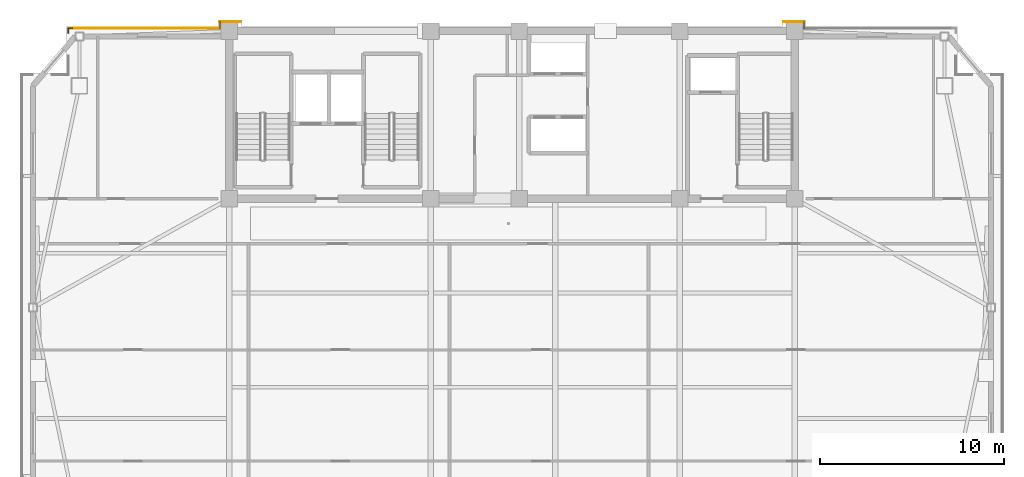
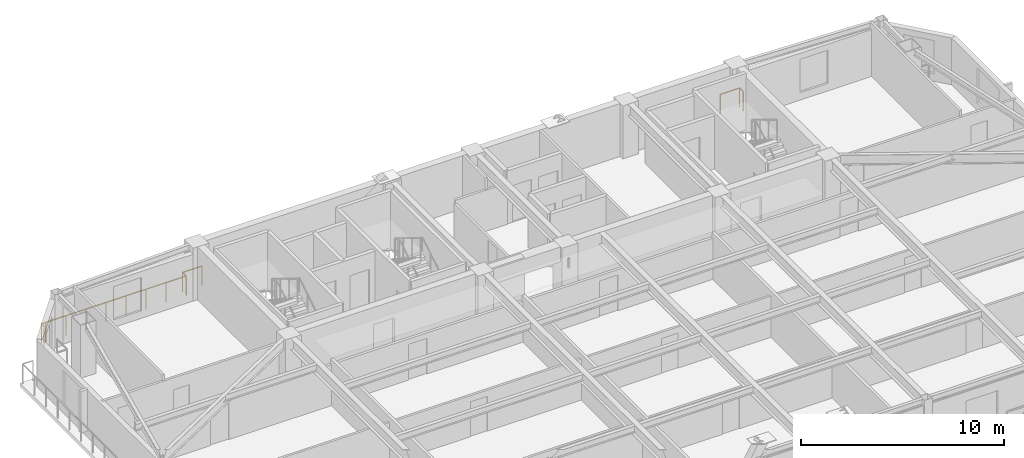
# One storey, part 15 of 16: 7 railings.
"""IFC4 building model written with IfcOpenShell, lengths in metres."""

from ifc_helpers import new_model, si_unit, direction, frame, origin, origin_2d, place, context, subcontext, project, spatial, rectangle, extrude, material, type_object, element, save


model = new_model("IFC4")

# Units and contexts
model_context = context("Model", 3, precision=1e-05, world=origin(), true_north=direction((0.0, 1.0)))
body_context = subcontext(model_context, "Body", "Model", "MODEL_VIEW")
ifc_project = project(units=[si_unit("LENGTHUNIT", "METRE"), si_unit("AREAUNIT", "SQUARE_METRE"), si_unit("VOLUMEUNIT", "CUBIC_METRE"), si_unit("PLANEANGLEUNIT", "RADIAN"), si_unit("MASSUNIT", "GRAM", prefix="KILO")], contexts=[model_context])

# Site, building, storey
site_placement = place(None, origin())
site = spatial("IfcSite", under=ifc_project, at=site_placement, CompositionType="ELEMENT")
building_placement = place(site_placement, origin())
building = spatial("IfcBuilding", under=site, at=building_placement, Name="Giltprow Tower", CompositionType="ELEMENT")
storey_placement = place(building_placement, frame((0.0, 0.0, 272.300048828125)))
storey = spatial("IfcBuildingStorey", under=building, at=storey_placement, Name="L70", CompositionType="ELEMENT", Elevation=272.300048828125)

# Railings
ifc_material = material(Name="Anodized bronze", Category="metal")
railing_type = type_object("IfcRailingType", Name="RAIL-BALC-GUARD-1200", PredefinedType="BALUSTRADE", material=ifc_material)
railing_1_placement = place(storey_placement, frame((11.116943359375, 46.443115234375, 0.0)))
element("IfcRailing", 1, at=railing_1_placement, inside=storey, type_object=railing_type, Name="L70 Corner Apron Edge Balustrade 17", PredefinedType="BALUSTRADE", context=body_context, shape_type="SweptSolid", body=[
    extrude(rectangle(XDim=0.048095703125, YDim=0.048095703125, at=origin_2d()), frame((0.0, 0.0, 1.17578125), z_axis=(0.0, 1.0, 0.0), x_axis=(-1.0, 0.0, 0.0)), (0.0, 0.0, 1.0), 0.2568359375),
    extrude(rectangle(XDim=0.0419921875, YDim=0.0419921875, at=origin_2d()), origin(), (0.0, 0.0, 1.0), 1.15185546875),
    extrude(rectangle(XDim=0.0419921875, YDim=0.0419921875, at=origin_2d()), frame((0.0, 0.2568359375, 0.0)), (0.0, 0.0, 1.0), 1.15185546875),
])
railing_2_placement = place(storey_placement, frame((11.116943359375, 46.699951171875, 0.0)))
element("IfcRailing", 2, at=railing_2_placement, inside=storey, type_object=railing_type, Name="L70 Corner Apron Edge Balustrade 18", PredefinedType="BALUSTRADE", context=body_context, shape_type="SweptSolid", body=[
    extrude(rectangle(XDim=0.048095703125, YDim=0.048095703125, at=origin_2d()), frame((0.0, 0.0, 1.17578125), z_axis=(1.0, 0.0, 0.0), x_axis=(0.0, 1.0, 0.0)), (0.0, 0.0, 1.0), 0.220947265625),
    extrude(rectangle(XDim=0.0419921875, YDim=0.0419921875, at=origin_2d()), origin(), (0.0, 0.0, 1.0), 1.15185546875),
    extrude(rectangle(XDim=0.0419921875, YDim=0.0419921875, at=origin_2d()), frame((0.220947265625, 0.0, 0.0)), (0.0, 0.0, 1.0), 1.15185546875),
])
railing_3_placement = place(storey_placement, frame((11.366943359375, 46.699951171875, 0.0)))
element("IfcRailing", 3, at=railing_3_placement, inside=storey, type_object=railing_type, Name="L70 Corner Apron Edge Balustrade 19", PredefinedType="BALUSTRADE", context=body_context, shape_type="SweptSolid", body=[
    extrude(rectangle(XDim=0.048095703125, YDim=0.048095703125, at=origin_2d()), frame((0.0, 0.0, 1.17578125), z_axis=(1.0, 0.0, 0.0), x_axis=(0.0, 1.0, 0.0)), (0.0, 0.0, 1.0), 7.983154296875),
    extrude(rectangle(XDim=0.0419921875, YDim=0.0419921875, at=origin_2d()), origin(), (0.0, 0.0, 1.0), 1.15185546875),
    extrude(rectangle(XDim=0.0419921875, YDim=0.0419921875, at=origin_2d()), frame((1.140380859375, 0.0, 0.0)), (0.0, 0.0, 1.0), 1.15185546875),
    extrude(rectangle(XDim=0.0419921875, YDim=0.0419921875, at=origin_2d()), frame((2.281005859375, 0.0, 0.0)), (0.0, 0.0, 1.0), 1.15185546875),
    extrude(rectangle(XDim=0.0419921875, YDim=0.0419921875, at=origin_2d()), frame((3.42138671875, 0.0, 0.0)), (0.0, 0.0, 1.0), 1.15185546875),
    extrude(rectangle(XDim=0.0419921875, YDim=0.0419921875, at=origin_2d()), frame((4.561767578125, 0.0, 0.0)), (0.0, 0.0, 1.0), 1.15185546875),
    extrude(rectangle(XDim=0.0419921875, YDim=0.0419921875, at=origin_2d()), frame((5.7021484375, 0.0, 0.0)), (0.0, 0.0, 1.0), 1.15185546875),
    extrude(rectangle(XDim=0.0419921875, YDim=0.0419921875, at=origin_2d()), frame((6.8427734375, 0.0, 0.0)), (0.0, 0.0, 1.0), 1.15185546875),
    extrude(rectangle(XDim=0.0419921875, YDim=0.0419921875, at=origin_2d()), frame((7.983154296875, 0.0, 0.0)), (0.0, 0.0, 1.0), 1.15185546875),
])
railing_4_placement = place(storey_placement, frame((19.35009765625, 46.699951171875, 0.0)))
element("IfcRailing", 4, at=railing_4_placement, inside=storey, type_object=railing_type, Name="L70 Corner Apron Edge Balustrade 20", PredefinedType="BALUSTRADE", context=body_context, shape_type="SweptSolid", body=[
    extrude(rectangle(XDim=0.048095703125, YDim=0.048095703125, at=origin_2d()), frame((0.0, 0.0, 1.17578125), z_axis=(0.0, 1.0, 0.0), x_axis=(-1.0, 0.0, 0.0)), (0.0, 0.0, 1.0), 0.35009765625),
    extrude(rectangle(XDim=0.0419921875, YDim=0.0419921875, at=origin_2d()), origin(), (0.0, 0.0, 1.0), 1.15185546875),
    extrude(rectangle(XDim=0.0419921875, YDim=0.0419921875, at=origin_2d()), frame((0.0, 0.35009765625, 0.0)), (0.0, 0.0, 1.0), 1.15185546875),
])
railing_5_placement = place(storey_placement, frame((19.35009765625, 47.050048828125, 0.0)))
element("IfcRailing", 5, at=railing_5_placement, inside=storey, type_object=railing_type, Name="L70 Corner Apron Edge Balustrade 21", PredefinedType="BALUSTRADE", context=body_context, shape_type="SweptSolid", body=[
    extrude(rectangle(XDim=0.048095703125, YDim=0.048095703125, at=origin_2d()), frame((0.0, 0.0, 1.17578125), z_axis=(1.0, 0.0, 0.0), x_axis=(0.0, 1.0, 0.0)), (0.0, 0.0, 1.0), 1.099853515625),
    extrude(rectangle(XDim=0.0419921875, YDim=0.0419921875, at=origin_2d()), origin(), (0.0, 0.0, 1.0), 1.15185546875),
    extrude(rectangle(XDim=0.0419921875, YDim=0.0419921875, at=origin_2d()), frame((1.099853515625, 0.0, 0.0)), (0.0, 0.0, 1.0), 1.15185546875),
])
railing_6_placement = place(storey_placement, frame((49.949951171875, 47.050048828125, 0.0)))
element("IfcRailing", 6, at=railing_6_placement, inside=storey, type_object=railing_type, Name="L70 Corner Apron Edge Balustrade 22", PredefinedType="BALUSTRADE", context=body_context, shape_type="SweptSolid", body=[
    extrude(rectangle(XDim=0.048095703125, YDim=0.048095703125, at=origin_2d()), frame((0.0, 0.0, 1.17578125), z_axis=(1.0, 0.0, 0.0), x_axis=(0.0, 1.0, 0.0)), (0.0, 0.0, 1.0), 1.10009765625),
    extrude(rectangle(XDim=0.0419921875, YDim=0.0419921875, at=origin_2d()), origin(), (0.0, 0.0, 1.0), 1.15185546875),
    extrude(rectangle(XDim=0.0419921875, YDim=0.0419921875, at=origin_2d()), frame((1.10009765625, 0.0, 0.0)), (0.0, 0.0, 1.0), 1.15185546875),
])
railing_7_placement = place(storey_placement, frame((51.050048828125, 47.050048828125, 0.0)))
element("IfcRailing", 7, at=railing_7_placement, inside=storey, type_object=railing_type, Name="L70 Corner Apron Edge Balustrade 23", PredefinedType="BALUSTRADE", context=body_context, shape_type="SweptSolid", body=[
    extrude(rectangle(XDim=0.048095703125, YDim=0.048095703125, at=origin_2d()), frame((0.0, 0.0, 1.17578125), z_axis=(0.0, -1.0, 0.0), x_axis=(1.0, 0.0, 0.0)), (0.0, 0.0, 1.0), 0.35009765625),
    extrude(rectangle(XDim=0.0419921875, YDim=0.0419921875, at=origin_2d()), origin(), (0.0, 0.0, 1.0), 1.15185546875),
    extrude(rectangle(XDim=0.0419921875, YDim=0.0419921875, at=origin_2d()), frame((0.0, -0.35009765625, 0.0)), (0.0, 0.0, 1.0), 1.15185546875),
])

save(model, "model.ifc")
